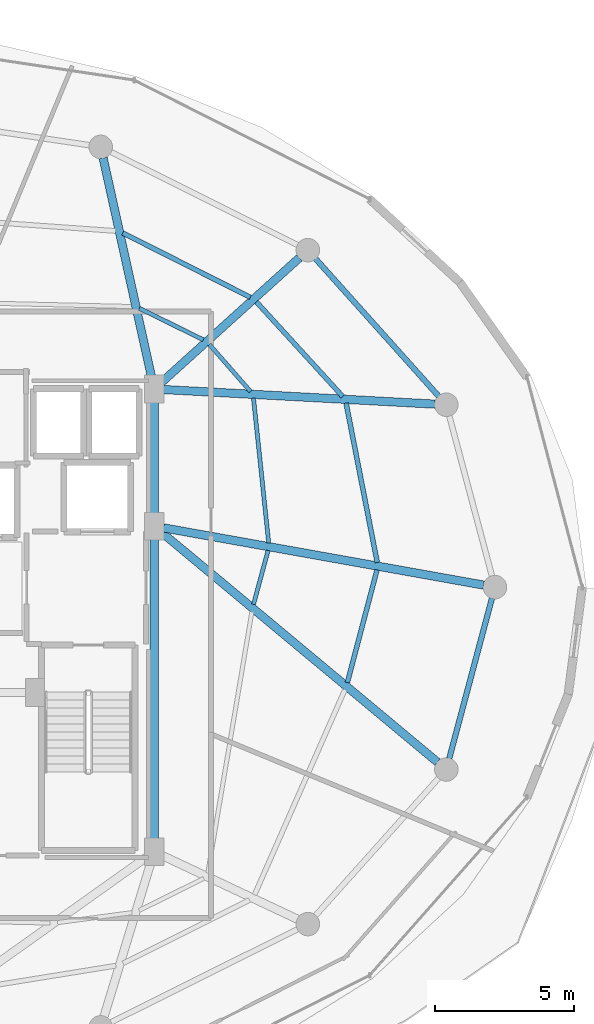
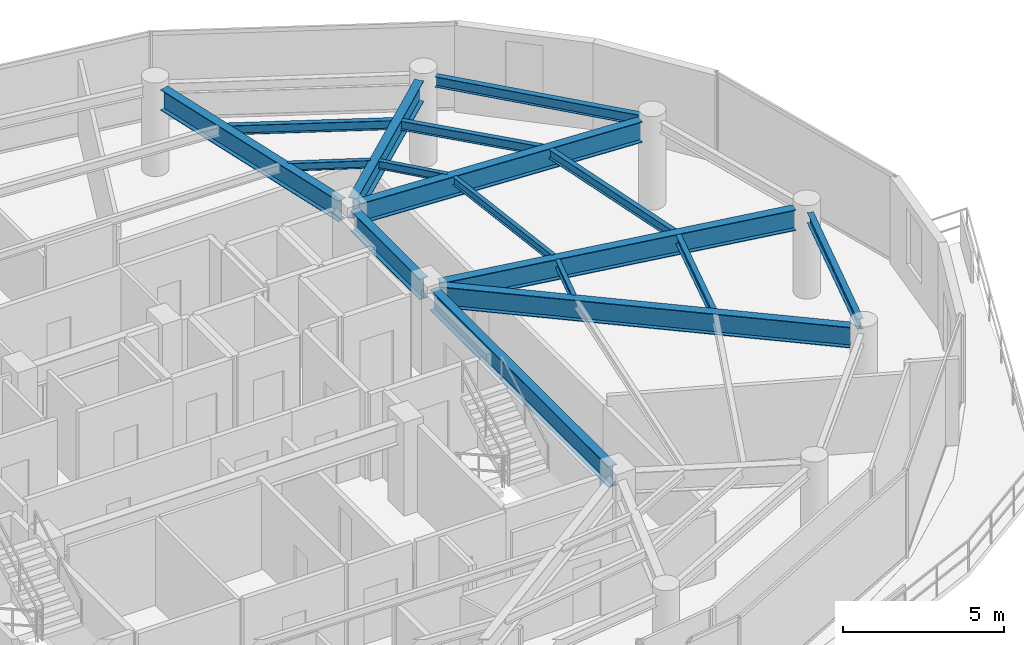
# One storey, part 14 of 30: 17 beams.
"""IFC4 building model written with IfcOpenShell, lengths in metres."""

import ifcopenshell
import ifcopenshell.guid

model = None  # the IFC model being written
_history = None  # IfcOwnerHistory: only IFC2X3 demands one
_inside = {}  # id of a spatial element -> (the spatial element, [elements in it])
_under = {}  # id of a project, library or spatial element -> (it, [spatial elements below it])
_declared = {}  # id of a project -> (the project, [libraries it declares])
_typed = {}  # id of a type object -> (the type object, [elements of that type])
_made_of = {}  # id of a material, layer set ... -> (it, [elements and type objects made of it])


def new_model(schema):
    """Start an empty IFC model of exactly this schema.

    Asked for "IFC4X3", IfcOpenShell would pick the latest addendum, in which some entities
    have other attributes; the version numbers below select the first issue.
    IFC2X3 requires an IfcOwnerHistory on every rooted entity: one is made here for all.
    """
    global model, _history
    if schema == "IFC4X3":
        model = ifcopenshell.file(schema_version=(4, 3, 0, 0))
    else:
        model = ifcopenshell.file(schema=schema)
    _inside.clear()
    _under.clear()
    _declared.clear()
    _typed.clear()
    _made_of.clear()
    _history = None
    if model.schema == "IFC2X3":
        org = make("IfcOrganization", Name="unknown")
        user = make(
            "IfcPersonAndOrganization",
            ThePerson=make("IfcPerson", FamilyName="unknown"),
            TheOrganization=org,
        )
        app = make(
            "IfcApplication",
            ApplicationDeveloper=org,
            Version="unknown",
            ApplicationFullName="unknown",
            ApplicationIdentifier="unknown",
        )
        _history = make(
            "IfcOwnerHistory",
            OwningUser=user,
            OwningApplication=app,
            ChangeAction="ADDED",
            CreationDate=0,
        )
    return model


def make(cls, **values):
    """One entity of the class cls with the attributes given. An attribute that is None is left unset."""
    return model.create_entity(
        cls, **{name: value for name, value in values.items() if value is not None}
    )


def rooted(cls, **values):
    """An entity with a GlobalId (a new one), such as an element, a storey or a relation."""
    return make(cls, GlobalId=ifcopenshell.guid.new(), OwnerHistory=_history, **values)


def si_unit(unit_type, name, prefix=None):
    """IfcSIUnit, for example si_unit("LENGTHUNIT", "METRE", prefix="MILLI")."""
    return make("IfcSIUnit", UnitType=unit_type, Prefix=prefix, Name=name)


def assignment(units):
    """IfcUnitAssignment: the units of a project."""
    return None if units is None else make("IfcUnitAssignment", Units=units)


def point(xyz):
    """IfcCartesianPoint."""
    return None if xyz is None else make("IfcCartesianPoint", Coordinates=xyz)


def direction(xyz):
    """IfcDirection."""
    return None if xyz is None else make("IfcDirection", DirectionRatios=xyz)


def frame(location, z_axis=None, x_axis=None):
    """IfcAxis2Placement3D, a coordinate frame: its origin and axes. An axis left out is left unset."""
    return make(
        "IfcAxis2Placement3D",
        Location=point(location),
        Axis=direction(z_axis),
        RefDirection=direction(x_axis),
    )


def frame_2d(location, x_axis=None):
    """IfcAxis2Placement2D, a coordinate frame in the plane: its origin and x axis."""
    return make(
        "IfcAxis2Placement2D", Location=point(location), RefDirection=direction(x_axis)
    )


def origin():
    """The frame at (0, 0, 0) with its axes left unset."""
    return frame((0.0, 0.0, 0.0))


def origin_2d():
    """The frame at (0, 0) in the plane with its x axis left unset."""
    return frame_2d((0.0, 0.0))


def place(relative_to, where):
    """IfcLocalPlacement: puts the frame where relative to a parent placement (None: the world)."""
    return make(
        "IfcLocalPlacement", PlacementRelTo=relative_to, RelativePlacement=where
    )


def context(
    kind, dimensions, precision=None, world=None, true_north=None, identifier=None
):
    """IfcGeometricRepresentationContext, for example the 3D "Model" context."""
    return make(
        "IfcGeometricRepresentationContext",
        ContextIdentifier=identifier,
        ContextType=kind,
        CoordinateSpaceDimension=dimensions,
        Precision=precision,
        WorldCoordinateSystem=world,
        TrueNorth=true_north,
    )


def subcontext(parent, identifier, kind, view, scale=None):
    """IfcGeometricRepresentationSubContext, for example "Body" below "Model"."""
    return make(
        "IfcGeometricRepresentationSubContext",
        ContextIdentifier=identifier,
        ContextType=kind,
        ParentContext=parent,
        TargetScale=scale,
        TargetView=view,
    )


def project(units=None, contexts=None):
    """IfcProject with its units and contexts."""
    return rooted(
        "IfcProject",
        Name="project",
        RepresentationContexts=contexts,
        UnitsInContext=assignment(units),
    )


def spatial(cls, under=None, at=None, **own):
    """A site, building, storey or space (cls), placed at a placement, below another one or the project."""
    s = rooted(cls, ObjectPlacement=at, **own)
    if under is not None:
        _under.setdefault(under.id(), (under, []))[1].append(s)
    return s


def profile(cls, at=None, kind="AREA", **sizes):
    """A parametric profile (cls). Its sizes go by their IFC names, for example OverallWidth=200.0."""
    return make(cls, ProfileType=kind, Position=at, **sizes)


def i_section(**sizes):
    """IfcIShapeProfileDef."""
    return profile("IfcIShapeProfileDef", **sizes)


def extrude(swept, where, along, depth):
    """IfcExtrudedAreaSolid: the profile swept, set in the frame where, extruded along a direction by depth."""
    return make(
        "IfcExtrudedAreaSolid",
        SweptArea=swept,
        Position=where,
        ExtrudedDirection=direction(along),
        Depth=depth,
    )


def shape(context_of_items, identifier, shape_type, items):
    """IfcShapeRepresentation: the items that make up one representation, for example the "Body"."""
    return make(
        "IfcShapeRepresentation",
        ContextOfItems=context_of_items,
        RepresentationIdentifier=identifier,
        RepresentationType=shape_type,
        Items=items,
    )


def material(Name=None, Category=None):
    """IfcMaterial."""
    return make("IfcMaterial", Name=Name, Category=Category)


def material_profile(
    of_material, cross_section, Name=None, Category=None, Priority=None
):
    """IfcMaterialProfile: a cross section and its material."""
    return make(
        "IfcMaterialProfile",
        Name=Name,
        Material=of_material,
        Profile=cross_section,
        Priority=Priority,
        Category=Category,
    )


def profile_set(profiles, Name=None, composite=None):
    """IfcMaterialProfileSet."""
    return make(
        "IfcMaterialProfileSet",
        Name=Name,
        MaterialProfiles=profiles,
        CompositeProfile=composite,
    )


def made_of(thing, what):
    """Note that an element or type object is made of a material, layer set ...; save() writes the relation."""
    if what is not None:
        _made_of.setdefault(what.id(), (what, []))[1].append(thing)
    return thing


def type_object(cls, material=None, **own):
    """A type object (cls), such as IfcWallType, which elements share."""
    return made_of(rooted(cls, **own), material)


def element(
    cls,
    number,
    at=None,
    inside=None,
    cuts=None,
    type_object=None,
    material=None,
    context=None,
    identifier="Body",
    shape_type=None,
    held_by="IfcProductDefinitionShape",
    body=None,
    shapes=None,
    **own,
):
    """One element of the class cls, such as IfcWall. Its Tag is "e" and its number.

    at: its placement. inside: the storey or other place that contains it. cuts: it is an
    opening in that element (IfcRelVoidsElement). A single representation is given by context,
    identifier, shape_type and body (its items); several are given by shapes. held_by: the class
    of the entity that holds the representations. save() writes the other relations.
    """
    e = rooted(cls, Tag="e%d" % number, ObjectPlacement=at, **own)
    if body is not None:
        shapes = [shape(context, identifier, shape_type, body)]
    if shapes is not None:
        e.Representation = make(held_by, Representations=shapes)
    if inside is not None:
        _inside.setdefault(inside.id(), (inside, []))[1].append(e)
    if cuts is not None:
        rooted(
            "IfcRelVoidsElement", RelatingBuildingElement=cuts, RelatedOpeningElement=e
        )
    if type_object is not None:
        _typed.setdefault(type_object.id(), (type_object, []))[1].append(e)
    return made_of(e, material)


def aggregate(whole, parts):
    """IfcRelAggregates: a whole, such as a stair, and the parts it consists of."""
    return rooted("IfcRelAggregates", RelatingObject=whole, RelatedObjects=parts)


def save(model, path):
    """Write the relations noted so far, then the file.

    IfcRelAggregates (storeys below a building ...), IfcRelContainedInSpatialStructure (elements
    in a storey), IfcRelDefinesByType, IfcRelAssociatesMaterial and IfcRelDeclares: one each for
    every whole, place, type object, material and project.
    """
    for whole, parts in _under.values():
        aggregate(whole, parts)
    for where, things in _inside.values():
        rooted(
            "IfcRelContainedInSpatialStructure",
            RelatedElements=things,
            RelatingStructure=where,
        )
    for kind, things in _typed.values():
        rooted("IfcRelDefinesByType", RelatedObjects=things, RelatingType=kind)
    for what, things in _made_of.values():
        rooted("IfcRelAssociatesMaterial", RelatedObjects=things, RelatingMaterial=what)
    for by, libraries in _declared.values():
        rooted("IfcRelDeclares", RelatingContext=by, RelatedDefinitions=libraries)
    model.write(path)


model = new_model("IFC4")

# Units and contexts
model_context = context("Model", 3, precision=1e-05, world=origin(), true_north=direction((0.0, 1.0)))
body_context = subcontext(model_context, "Body", "Model", "MODEL_VIEW")
ifc_project = project(units=[si_unit("LENGTHUNIT", "METRE"), si_unit("AREAUNIT", "SQUARE_METRE"), si_unit("VOLUMEUNIT", "CUBIC_METRE"), si_unit("PLANEANGLEUNIT", "RADIAN"), si_unit("MASSUNIT", "GRAM", prefix="KILO")], contexts=[model_context])

# Site, building, storey
site_placement = place(None, origin())
site = spatial("IfcSite", under=ifc_project, at=site_placement, CompositionType="ELEMENT")
building_placement = place(site_placement, origin())
building = spatial("IfcBuilding", under=site, at=building_placement, Name="Vorneva Point Tower", CompositionType="ELEMENT")
storey_placement = place(building_placement, frame((0.0, 0.0, 234.25)))
storey = spatial("IfcBuildingStorey", under=building, at=storey_placement, Name="L63", CompositionType="ELEMENT", Elevation=234.25)

# Beams
ifc_material = material(Name="Steel S355", Category="steel")
ifc_material_profile_1 = material_profile(ifc_material, i_section(OverallWidth=0.300048828125, OverallDepth=0.7880859375, WebThickness=0.014404296875, FlangeThickness=0.02197265625, at=origin_2d()), Name="80Sh1")
ifc_profile_set_1 = profile_set([ifc_material_profile_1], Name="Steel S355")
beam_type_1 = type_object("IfcBeamType", Name="BM-GRD-80Sh1", PredefinedType="USERDEFINED", material=ifc_profile_set_1)
beam_1_placement = place(storey_placement, frame((60.6435546875, 26.07275390625, 2.89599609375), z_axis=(-0.9843788355, 0.17606336422, 0.0), x_axis=(-0.17606336422, -0.9843788355, 0.0)))
element("IfcBeam", 1, at=beam_1_placement, inside=storey, type_object=beam_type_1, Name="L63 Radial Primary Girder 01", ObjectType="GIRDER", PredefinedType="USERDEFINED", context=body_context, shape_type="SweptSolid", body=[
    extrude(i_section(OverallWidth=0.300048828125, OverallDepth=0.7880859375, WebThickness=0.014404296875, FlangeThickness=0.02197265625, at=origin_2d()), origin(), (0.0, 0.0, 1.0), 11.7421875),
])
beam_2_placement = place(storey_placement, frame((58.883056640625, 32.6044921875, 2.89599609375), z_axis=(-0.998554756376, 0.05374382308, 0.0), x_axis=(-0.05374382308, -0.998554756376, 0.0)))
element("IfcBeam", 2, at=beam_2_placement, inside=storey, type_object=beam_type_1, Name="L63 Radial Primary Girder 02", ObjectType="GIRDER", PredefinedType="USERDEFINED", context=body_context, shape_type="SweptSolid", body=[
    extrude(i_section(OverallWidth=0.300048828125, OverallDepth=0.7880859375, WebThickness=0.014404296875, FlangeThickness=0.02197265625, at=origin_2d()), origin(), (0.0, 0.0, 1.0), 9.8076171875),
])
beam_3_placement = place(storey_placement, frame((53.9921875, 37.885498046875, 2.89599609375), z_axis=(-0.7420671051, -0.670325601128, 0.0), x_axis=(0.670325601128, -0.7420671051, 0.0)))
element("IfcBeam", 3, at=beam_3_placement, inside=storey, type_object=beam_type_1, Name="L63 Radial Primary Girder 03", ObjectType="GIRDER", PredefinedType="USERDEFINED", context=body_context, shape_type="SweptSolid", body=[
    extrude(i_section(OverallWidth=0.300048828125, OverallDepth=0.7880859375, WebThickness=0.014404296875, FlangeThickness=0.02197265625, at=origin_2d()), origin(), (0.0, 0.0, 1.0), 6.724365234375),
])
beam_4_placement = place(storey_placement, frame((46.909912109375, 41.4873046875, 2.89599609375), z_axis=(0.215520742957, -0.976499262342, 0.0), x_axis=(0.976499262342, 0.215520742957, 0.0)))
element("IfcBeam", 4, at=beam_4_placement, inside=storey, type_object=beam_type_1, Name="L63 Radial Primary Girder 04", ObjectType="GIRDER", PredefinedType="USERDEFINED", context=body_context, shape_type="SweptSolid", body=[
    extrude(i_section(OverallWidth=0.300048828125, OverallDepth=0.7880859375, WebThickness=0.014404296875, FlangeThickness=0.02197265625, at=origin_2d()), origin(), (0.0, 0.0, 1.0), 8.197998046875),
])
beam_5_placement = place(storey_placement, frame((58.97802734375, 19.68212890625, 2.89599609375), z_axis=(-0.768424898021, 0.639939978515, 0.0), x_axis=(-0.639939978515, -0.768424898021, 0.0)))
element("IfcBeam", 5, at=beam_5_placement, inside=storey, type_object=beam_type_1, Name="L63 Radial Primary Girder 16", ObjectType="GIRDER", PredefinedType="USERDEFINED", context=body_context, shape_type="SweptSolid", body=[
    extrude(i_section(OverallWidth=0.300048828125, OverallDepth=0.7880859375, WebThickness=0.014404296875, FlangeThickness=0.02197265625, at=origin_2d()), origin(), (0.0, 0.0, 1.0), 12.970458984375),
])
beam_6_placement = place(storey_placement, frame((48.75, 16.77001953125, 2.89599609375), z_axis=(0.0, 1.0, 0.0), x_axis=(-1.0, 0.0, 0.0)))
element("IfcBeam", 6, at=beam_6_placement, inside=storey, type_object=beam_type_1, Name="L63 Core Tie Girder CT3", ObjectType="GIRDER", PredefinedType="USERDEFINED", context=body_context, shape_type="SweptSolid", body=[
    extrude(i_section(OverallWidth=0.300048828125, OverallDepth=0.7880859375, WebThickness=0.014404296875, FlangeThickness=0.02197265625, at=origin_2d()), origin(), (0.0, 0.0, 1.0), 11.10986328125),
])
beam_7_placement = place(storey_placement, frame((48.75, 28.52001953125, 2.89599609375), z_axis=(0.0, 1.0, 0.0), x_axis=(-1.0, 0.0, 0.0)))
element("IfcBeam", 7, at=beam_7_placement, inside=storey, type_object=beam_type_1, Name="L63 Core Tie Girder CT4", ObjectType="GIRDER", PredefinedType="USERDEFINED", context=body_context, shape_type="SweptSolid", body=[
    extrude(i_section(OverallWidth=0.300048828125, OverallDepth=0.7880859375, WebThickness=0.014404296875, FlangeThickness=0.02197265625, at=origin_2d()), origin(), (0.0, 0.0, 1.0), 4.31005859375),
])
ifc_material_profile_2 = material_profile(ifc_material, i_section(OverallWidth=0.14892578125, OverallDepth=0.298095703125, WebThickness=0.005615234375, FlangeThickness=0.008056640625, at=origin_2d()), Name="30B1")
ifc_profile_set_2 = profile_set([ifc_material_profile_2], Name="Steel S355")
beam_type_2 = type_object("IfcBeamType", Name="BM-JST-30B1", PredefinedType="JOIST", material=ifc_profile_set_2)
beam_8_placement = place(storey_placement, frame((52.884765625, 27.59521484375, 3.14111328125), z_axis=(-0.104508201647, 0.994524024742, 0.0), x_axis=(-0.994524024742, -0.104508201647, 0.0)))
element("IfcBeam", 8, at=beam_8_placement, inside=storey, type_object=beam_type_2, Name="L63 Secondary Floor Beam 2.01", PredefinedType="JOIST", context=body_context, shape_type="SweptSolid", body=[
    extrude(i_section(OverallWidth=0.14892578125, OverallDepth=0.298095703125, WebThickness=0.005615234375, FlangeThickness=0.008056640625, at=origin_2d()), origin(), (0.0, 0.0, 1.0), 5.25390625),
])
beam_9_placement = place(storey_placement, frame((52.23046875, 33.0615234375, 3.14111328125), z_axis=(-0.659207612715, 0.75196098525, 0.0), x_axis=(-0.75196098525, -0.659207612715, 0.0)))
element("IfcBeam", 9, at=beam_9_placement, inside=storey, type_object=beam_type_2, Name="L63 Secondary Floor Beam 2.02", PredefinedType="JOIST", context=body_context, shape_type="SweptSolid", body=[
    extrude(i_section(OverallWidth=0.14892578125, OverallDepth=0.298095703125, WebThickness=0.005615234375, FlangeThickness=0.008056640625, at=origin_2d()), origin(), (0.0, 0.0, 1.0), 2.260986328125),
])
beam_10_placement = place(storey_placement, frame((50.525146484375, 34.92626953125, 3.14111328125), z_axis=(-0.897106439702, 0.441814481254, 0.0), x_axis=(-0.441814481254, -0.897106439702, 0.0)))
element("IfcBeam", 10, at=beam_10_placement, inside=storey, type_object=beam_type_2, Name="L63 Secondary Floor Beam 2.03", PredefinedType="JOIST", context=body_context, shape_type="SweptSolid", body=[
    extrude(i_section(OverallWidth=0.14892578125, OverallDepth=0.298095703125, WebThickness=0.005615234375, FlangeThickness=0.008056640625, at=origin_2d()), origin(), (0.0, 0.0, 1.0), 2.572265625),
])
beam_11_placement = place(storey_placement, frame((52.336181640625, 25.37646484375, 3.14111328125), z_axis=(0.26104917741, 0.96532550312, 0.0), x_axis=(-0.96532550312, 0.26104917741, 0.0)))
element("IfcBeam", 11, at=beam_11_placement, inside=storey, type_object=beam_type_2, Name="L63 Secondary Floor Beam 2.16", PredefinedType="JOIST", context=body_context, shape_type="SweptSolid", body=[
    extrude(i_section(OverallWidth=0.14892578125, OverallDepth=0.298095703125, WebThickness=0.005615234375, FlangeThickness=0.008056640625, at=origin_2d()), origin(), (0.0, 0.0, 1.0), 2.018310546875),
])
ifc_material_profile_3 = material_profile(ifc_material, i_section(OverallWidth=0.174072265625, OverallDepth=0.345947265625, WebThickness=0.006103515625, FlangeThickness=0.009033203125, at=origin_2d()), Name="35B1")
ifc_profile_set_3 = profile_set([ifc_material_profile_3], Name="Steel S355")
beam_type_3 = type_object("IfcBeamType", Name="BM-SEC-35B1", PredefinedType="BEAM", material=ifc_profile_set_3)
beam_12_placement = place(storey_placement, frame((56.802490234375, 26.890380859375, 3.116943359375), z_axis=(-0.191925271484, 0.981409542528, 0.0), x_axis=(-0.981409542528, -0.191925271484, 0.0)))
element("IfcBeam", 12, at=beam_12_placement, inside=storey, type_object=beam_type_3, Name="L63 Secondary Floor Beam 1.01", PredefinedType="BEAM", context=body_context, shape_type="SweptSolid", body=[
    extrude(i_section(OverallWidth=0.174072265625, OverallDepth=0.345947265625, WebThickness=0.006103515625, FlangeThickness=0.009033203125, at=origin_2d()), origin(), (0.0, 0.0, 1.0), 5.861572265625),
])
beam_13_placement = place(storey_placement, frame((55.55810546875, 32.88037109375, 3.116943359375), z_axis=(-0.674370728017, 0.738392931436, 0.0), x_axis=(-0.738392931436, -0.674370728017, 0.0)))
element("IfcBeam", 13, at=beam_13_placement, inside=storey, type_object=beam_type_3, Name="L63 Secondary Floor Beam 1.02", PredefinedType="BEAM", context=body_context, shape_type="SweptSolid", body=[
    extrude(i_section(OverallWidth=0.174072265625, OverallDepth=0.345947265625, WebThickness=0.006103515625, FlangeThickness=0.009033203125, at=origin_2d()), origin(), (0.0, 0.0, 1.0), 4.625732421875),
])
beam_14_placement = place(storey_placement, frame((52.222412109375, 36.460205078125, 3.116943359375), z_axis=(-0.892860048752, 0.450334246246, 0.0), x_axis=(-0.450334246246, -0.892860048752, 0.0)))
element("IfcBeam", 14, at=beam_14_placement, inside=storey, type_object=beam_type_3, Name="L63 Secondary Floor Beam 1.03", PredefinedType="BEAM", context=body_context, shape_type="SweptSolid", body=[
    extrude(i_section(OverallWidth=0.174072265625, OverallDepth=0.345947265625, WebThickness=0.006103515625, FlangeThickness=0.009033203125, at=origin_2d()), origin(), (0.0, 0.0, 1.0), 5.158935546875),
])
beam_15_placement = place(storey_placement, frame((55.72412109375, 22.5546875, 3.116943359375), z_axis=(0.254401852256, 0.967098597646, 0.0), x_axis=(-0.967098597646, 0.254401852256, 0.0)))
element("IfcBeam", 15, at=beam_15_placement, inside=storey, type_object=beam_type_3, Name="L63 Secondary Floor Beam 1.16", PredefinedType="BEAM", context=body_context, shape_type="SweptSolid", body=[
    extrude(i_section(OverallWidth=0.174072265625, OverallDepth=0.345947265625, WebThickness=0.006103515625, FlangeThickness=0.009033203125, at=origin_2d()), origin(), (0.0, 0.0, 1.0), 4.205322265625),
])
ifc_material_profile_4 = material_profile(ifc_material, i_section(OverallWidth=0.198974609375, OverallDepth=0.39599609375, WebThickness=0.007080078125, FlangeThickness=0.010986328125, at=origin_2d()), Name="40B1")
ifc_profile_set_4 = profile_set([ifc_material_profile_4], Name="Steel S355")
beam_type_4 = type_object("IfcBeamType", Name="BM-SPN-40B1", PredefinedType="SPANDREL", material=ifc_profile_set_4)
beam_16_placement = place(storey_placement, frame((59.02197265625, 32.8876953125, 3.092041015625), z_axis=(-0.667108282638, 0.744960763554, 0.0), x_axis=(-0.744960763554, -0.667108282638, 0.0)))
element("IfcBeam", 16, at=beam_16_placement, inside=storey, type_object=beam_type_4, Name="L63 Perimeter Spandrel Ring Beam 02", PredefinedType="SPANDREL", context=body_context, shape_type="SweptSolid", body=[
    extrude(i_section(OverallWidth=0.198974609375, OverallDepth=0.39599609375, WebThickness=0.007080078125, FlangeThickness=0.010986328125, at=origin_2d()), origin(), (0.0, 0.0, 1.0), 6.670166015625),
])
beam_17_placement = place(storey_placement, frame((59.40087890625, 19.81396484375, 3.092041015625), z_axis=(0.257586570866, 0.966255224312, 0.0), x_axis=(-0.966255224312, 0.257586570866, 0.0)))
element("IfcBeam", 17, at=beam_17_placement, inside=storey, type_object=beam_type_4, Name="L63 Perimeter Spandrel Ring Beam 16", PredefinedType="SPANDREL", context=body_context, shape_type="SweptSolid", body=[
    extrude(i_section(OverallWidth=0.198974609375, OverallDepth=0.39599609375, WebThickness=0.007080078125, FlangeThickness=0.010986328125, at=origin_2d()), origin(), (0.0, 0.0, 1.0), 5.991943359375),
])

save(model, "model.ifc")
